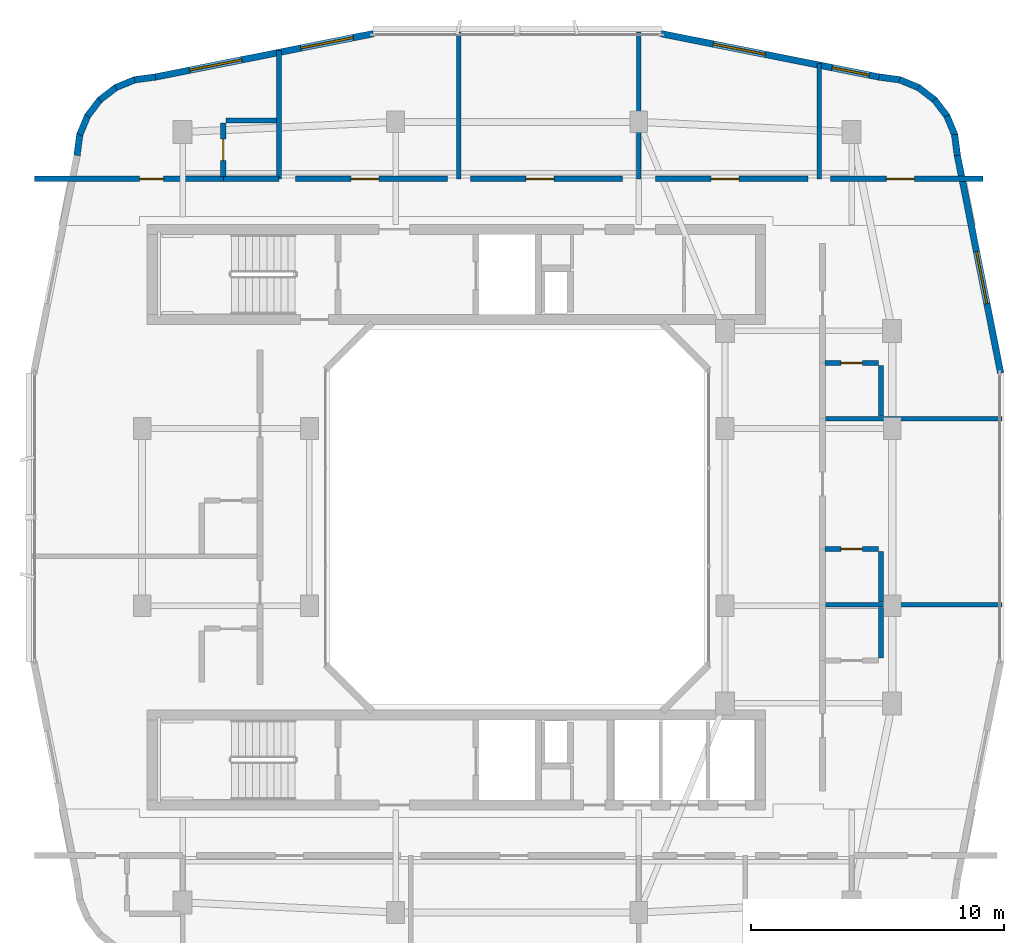
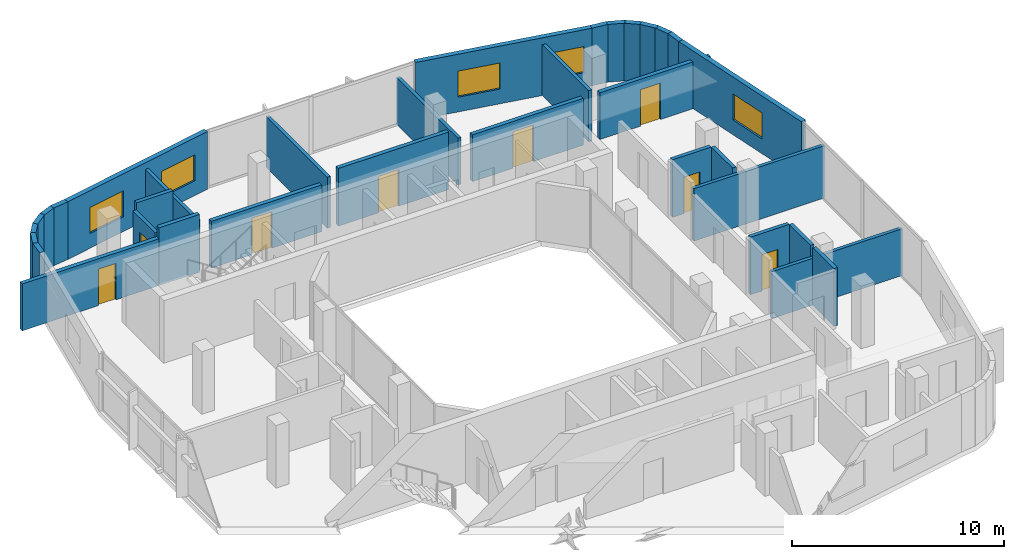
# One storey, part 9 of 14: 34 walls, 8 doors, 5 windows, 13 openings.
"""IFC4 building model written with IfcOpenShell, lengths in metres."""

from ifc_helpers import new_model, si_unit, derived_unit, direction, frame, frame_2d, origin, place, context, subcontext, project, spatial, rectangle, extrude, material, layer, layer_set, type_object, element, fill, save


model = new_model("IFC4")

# Units and contexts
model_context = context("Model", 3, precision=1e-05, world=origin(), true_north=direction((0.0, 1.0)))
body_context = subcontext(model_context, "Body", "Model", "MODEL_VIEW")
ifc_project = project(units=[si_unit("LENGTHUNIT", "METRE"), si_unit("AREAUNIT", "SQUARE_METRE"), si_unit("VOLUMEUNIT", "CUBIC_METRE"), si_unit("PLANEANGLEUNIT", "RADIAN"), si_unit("MASSUNIT", "GRAM", prefix="KILO"), derived_unit("THERMALTRANSMITTANCEUNIT", [(si_unit("POWERUNIT", "WATT"), 1), (si_unit("LENGTHUNIT", "METRE"), -2), (si_unit("THERMODYNAMICTEMPERATUREUNIT", "KELVIN"), -1)])], contexts=[model_context])

# Site, building, storey
site_placement = place(None, origin())
site = spatial("IfcSite", under=ifc_project, at=site_placement, CompositionType="ELEMENT")
building_placement = place(site_placement, origin())
building = spatial("IfcBuilding", under=site, at=building_placement, Name="Kivonza Crest Hotel", CompositionType="ELEMENT")
storey_placement = place(building_placement, frame((0.0, 0.0, 209.89990234375)))
storey = spatial("IfcBuildingStorey", under=building, at=storey_placement, Name="L57", CompositionType="ELEMENT", Elevation=209.89990234375)

# Walls
ifc_material_1 = material(Name="High-density acoustic masonry inter-tenancy wall", Category="masonry")
ifc_layer_1 = layer(ifc_material_1, 0.179931640625)
ifc_layer_set_1 = layer_set([ifc_layer_1], Name="High-density acoustic masonry inter-tenancy wall")
wall_type_1 = type_object("IfcWallType", Name="WL-ACOU-180", PredefinedType="SOLIDWALL", material=ifc_layer_set_1)
wall_1_placement = place(storey_placement, frame((11.60009765625, 38.35009765625, 0.0), z_axis=(0.0, 0.0, 1.0), x_axis=(0.0, 1.0, 0.0)))
element("IfcWall", 1, at=wall_1_placement, inside=storey, type_object=wall_type_1, Name="L57 interior partition WA-L57-T1N-DIV1", PredefinedType="SOLIDWALL", context=body_context, shape_type="SweptSolid", body=[
    extrude(rectangle(XDim=5.06396484375, YDim=0.179931640625, at=frame_2d((2.531982421875, 0.0))), origin(), (0.0, 0.0, 1.0), 2.93505859375),
])
wall_2_placement = place(storey_placement, frame((18.699951171875, 38.35009765625, 0.0), z_axis=(0.0, 0.0, 1.0), x_axis=(0.0, 1.0, 0.0)))
element("IfcWall", 2, at=wall_2_placement, inside=storey, type_object=wall_type_1, Name="L57 interior partition WA-L57-T1N-SPDIV1", PredefinedType="SOLIDWALL", context=body_context, shape_type="SweptSolid", body=[
    extrude(rectangle(XDim=5.789794921875, YDim=0.179931640625, at=frame_2d((2.89501953125, 0.0))), origin(), (0.0, 0.0, 1.0), 2.93505859375),
])
wall_3_placement = place(storey_placement, frame((25.800048828125, 38.35009765625, 0.0), z_axis=(0.0, 0.0, 1.0), x_axis=(0.0, 1.0, 0.0)))
element("IfcWall", 3, at=wall_3_placement, inside=storey, type_object=wall_type_1, Name="L57 interior partition WA-L57-T1N-DIV2", PredefinedType="SOLIDWALL", context=body_context, shape_type="SweptSolid", body=[
    extrude(rectangle(XDim=5.789794921875, YDim=0.179931640625, at=frame_2d((2.89501953125, 0.0))), origin(), (0.0, 0.0, 1.0), 2.695068359375),
])
wall_4_placement = place(storey_placement, frame((32.919921875, 38.35009765625, 0.0), z_axis=(0.0, 0.0, 1.0), x_axis=(0.0, 1.0, 0.0)))
element("IfcWall", 4, at=wall_4_placement, inside=storey, type_object=wall_type_1, Name="L57 interior partition WA-L57-T1N-SPDIV2", PredefinedType="SOLIDWALL", context=body_context, shape_type="SweptSolid", body=[
    extrude(rectangle(XDim=4.56298828125, YDim=0.179931640625, at=frame_2d((2.281494140625, 0.0))), origin(), (0.0, 0.0, 1.0), 2.93505859375),
])
wall_5_placement = place(storey_placement, frame((33.050048828125, 21.5439453125, 0.0), z_axis=(0.0, 0.0, 1.0), x_axis=(1.0, 0.0, 0.0)))
element("IfcWall", 5, at=wall_5_placement, inside=storey, type_object=wall_type_1, Name="L57 interior partition WA-L57-T1E-DIV1", PredefinedType="SOLIDWALL", context=body_context, shape_type="SweptSolid", body=[
    extrude(rectangle(XDim=7.08984375, YDim=0.179931640625, at=frame_2d((3.544921875, 0.0))), origin(), (0.0, 0.0, 1.0), 2.695068359375),
])
wall_6_placement = place(storey_placement, frame((33.050048828125, 28.887939453125, 0.0), z_axis=(0.0, 0.0, 1.0), x_axis=(1.0, 0.0, 0.0)))
element("IfcWall", 6, at=wall_6_placement, inside=storey, type_object=wall_type_1, Name="L57 interior partition WA-L57-T1E-DIV2", PredefinedType="SOLIDWALL", context=body_context, shape_type="SweptSolid", body=[
    extrude(rectangle(XDim=7.08984375, YDim=0.179931640625, at=frame_2d((3.544921875, 0.0))), origin(), (0.0, 0.0, 1.0), 3.01513671875),
])
ifc_material_2 = material(Name="Autoclaved aerated concrete blockwork", Category="masonry")
ifc_layer_2 = layer(ifc_material_2, 0.219970703125)
ifc_layer_set_2 = layer_set([ifc_layer_2], Name="Autoclaved aerated concrete blockwork")
wall_type_2 = type_object("IfcWallType", Name="WL-ACOU-220", PredefinedType="SOLIDWALL", material=ifc_layer_set_2)
wall_7_placement = place(storey_placement, frame((9.39990234375, 38.35009765625, 0.0), z_axis=(0.0, 0.0, 1.0), x_axis=(1.0, 0.0, 0.0)))
element("IfcWall", 7, at=wall_7_placement, inside=storey, type_object=wall_type_2, Name="L57 interior partition WA-L57-N01-BCORR", PredefinedType="SOLIDWALL", context=body_context, shape_type="SweptSolid", body=[
    extrude(rectangle(XDim=2.2001953125, YDim=0.219970703125, at=frame_2d((1.10009765625, 0.0))), origin(), (0.0, 0.0, 1.0), 3.320068359375),
])

# Wall, opening, door
wall_8_placement = place(storey_placement, frame((1.9599609375, 38.35009765625, 0.0), z_axis=(0.0, 0.0, 1.0), x_axis=(1.0, 0.0, 0.0)))
wall_8 = element("IfcWall", 8, at=wall_8_placement, inside=storey, type_object=wall_type_2, Name="L57 interior partition WA-L57-N01-MCORR", PredefinedType="SOLIDWALL", context=body_context, shape_type="SweptSolid", body=[
    extrude(rectangle(XDim=7.43994140625, YDim=0.219970703125, at=frame_2d((3.719970703125, 0.0))), origin(), (0.0, 0.0, 1.0), 2.695068359375),
])
opening_1_placement = place(wall_8_placement, frame((4.139892578125, 0.0, 0.0)))
opening_1 = element("IfcOpeningElement", 9, at=opening_1_placement, cuts=wall_8, Name="Opening DU-60", PredefinedType="OPENING", context=body_context, shape_type="SweptSolid", body=[
    extrude(rectangle(XDim=0.949951171875, YDim=2.10009765625, at=frame_2d((0.47509765625, 1.050048828125))), frame((0.0, 0.1201171875, 0.0), z_axis=(0.0, -1.0, 0.0), x_axis=(1.0, 0.0, 0.0)), (0.0, 0.0, 1.0), 0.239990234375),
])
ifc_material_3 = material(Name="Hardwood timber oak", Category="wood")
door_type_1 = type_object("IfcDoorType", Name="DR-UNIT-950", OperationType="NOTDEFINED", PredefinedType="DOOR", material=ifc_material_3)
door_1_placement = place(opening_1_placement, origin())
door_1 = element("IfcDoor", 10, at=door_1_placement, inside=storey, type_object=door_type_1, Name="L57 N01 guest unit entrance fire door", OperationType="SINGLE_SWING_LEFT", OverallHeight=2.10009765625, OverallWidth=0.949951171875, PredefinedType="DOOR", context=body_context, shape_type="SweptSolid", body=[
    extrude(rectangle(XDim=0.949951171875, YDim=2.10009765625, at=frame_2d((0.47509765625, 1.050048828125))), frame((0.0, 0.02490234375, 0.0), z_axis=(0.0, -1.0, 0.0), x_axis=(1.0, 0.0, 0.0)), (0.0, 0.0, 1.0), 0.050048828125),
])
fill(opening_1, door_1)

wall_9_placement = place(storey_placement, frame((12.25, 38.35009765625, 0.0), z_axis=(0.0, 0.0, 1.0), x_axis=(1.0, 0.0, 0.0)))
wall_9 = element("IfcWall", 11, at=wall_9_placement, inside=storey, type_object=wall_type_2, Name="L57 interior partition WA-L57-Z3-NKIT1A-S", PredefinedType="SOLIDWALL", context=body_context, shape_type="SweptSolid", body=[
    extrude(rectangle(XDim=6.0, YDim=0.219970703125, at=frame_2d((3.0, 0.0))), origin(), (0.0, 0.0, 1.0), 2.695068359375),
])
opening_2_placement = place(wall_9_placement, frame((2.195068359375, 0.0, 0.0)))
opening_2 = element("IfcOpeningElement", 12, at=opening_2_placement, cuts=wall_9, Name="Opening DF-60M", PredefinedType="OPENING", context=body_context, shape_type="SweptSolid", body=[
    extrude(rectangle(XDim=1.10009765625, YDim=2.10009765625, at=frame_2d((0.550048828125, 1.050048828125))), frame((0.0, 0.1201171875, 0.0), z_axis=(0.0, -1.0, 0.0), x_axis=(1.0, 0.0, 0.0)), (0.0, 0.0, 1.0), 0.239990234375),
])
door_type_2 = type_object("IfcDoorType", Name="DR-FD60-1100", OperationType="NOTDEFINED", PredefinedType="DOOR", material=ifc_material_3)
door_2_placement = place(opening_2_placement, origin())
door_2 = element("IfcDoor", 13, at=door_2_placement, inside=storey, type_object=door_type_2, Name="L57 Sky Culinary Tasting Kitchen door", OperationType="SINGLE_SWING_RIGHT", OverallHeight=2.10009765625, OverallWidth=1.10009765625, PredefinedType="DOOR", context=body_context, shape_type="SweptSolid", body=[
    extrude(rectangle(XDim=1.10009765625, YDim=2.10009765625, at=frame_2d((0.550048828125, 1.050048828125))), frame((0.0, 0.02490234375, 0.0), z_axis=(0.0, -1.0, 0.0), x_axis=(1.0, 0.0, 0.0)), (0.0, 0.0, 1.0), 0.050048828125),
])
fill(opening_2, door_2)

wall_10_placement = place(storey_placement, frame((19.14990234375, 38.35009765625, 0.0), z_axis=(0.0, 0.0, 1.0), x_axis=(1.0, 0.0, 0.0)))
wall_10 = element("IfcWall", 14, at=wall_10_placement, inside=storey, type_object=wall_type_2, Name="L57 interior partition WA-L57-Z3-NKIT1B-S", PredefinedType="SOLIDWALL", context=body_context, shape_type="SweptSolid", body=[
    extrude(rectangle(XDim=6.0, YDim=0.219970703125, at=frame_2d((3.0, 0.0))), origin(), (0.0, 0.0, 1.0), 3.320068359375),
])
opening_3_placement = place(wall_10_placement, frame((2.195068359375, 0.0, 0.0)))
opening_3 = element("IfcOpeningElement", 15, at=opening_3_placement, cuts=wall_10, Name="Opening DF-60M", PredefinedType="OPENING", context=body_context, shape_type="SweptSolid", body=[
    extrude(rectangle(XDim=1.10009765625, YDim=2.10009765625, at=frame_2d((0.550048828125, 1.050048828125))), frame((0.0, 0.1201171875, 0.0), z_axis=(0.0, -1.0, 0.0), x_axis=(1.0, 0.0, 0.0)), (0.0, 0.0, 1.0), 0.239990234375),
])
door_3_placement = place(opening_3_placement, origin())
door_3 = element("IfcDoor", 16, at=door_3_placement, inside=storey, type_object=door_type_2, Name="L57 Sky Sommelier Pastry Kitchen door", OperationType="SINGLE_SWING_LEFT", OverallHeight=2.10009765625, OverallWidth=1.10009765625, PredefinedType="DOOR", context=body_context, shape_type="SweptSolid", body=[
    extrude(rectangle(XDim=1.10009765625, YDim=2.10009765625, at=frame_2d((0.550048828125, 1.050048828125))), frame((0.0, 0.02490234375, 0.0), z_axis=(0.0, -1.0, 0.0), x_axis=(1.0, 0.0, 0.0)), (0.0, 0.0, 1.0), 0.050048828125),
])
fill(opening_3, door_3)

wall_11_placement = place(storey_placement, frame((26.449951171875, 38.35009765625, 0.0), z_axis=(0.0, 0.0, 1.0), x_axis=(1.0, 0.0, 0.0)))
wall_11 = element("IfcWall", 17, at=wall_11_placement, inside=storey, type_object=wall_type_2, Name="L57 interior partition WA-L57-Z3-NKIT2A-S", PredefinedType="SOLIDWALL", context=body_context, shape_type="SweptSolid", body=[
    extrude(rectangle(XDim=6.02001953125, YDim=0.219970703125, at=frame_2d((3.010009765625, 0.0))), origin(), (0.0, 0.0, 1.0), 2.695068359375),
])
opening_4_placement = place(wall_11_placement, frame((2.2041015625, 0.0, 0.0)))
opening_4 = element("IfcOpeningElement", 18, at=opening_4_placement, cuts=wall_11, Name="Opening DF-60M", PredefinedType="OPENING", context=body_context, shape_type="SweptSolid", body=[
    extrude(rectangle(XDim=1.10009765625, YDim=2.10009765625, at=frame_2d((0.550048828125, 1.050048828125))), frame((0.0, 0.1201171875, 0.0), z_axis=(0.0, -1.0, 0.0), x_axis=(1.0, 0.0, 0.0)), (0.0, 0.0, 1.0), 0.239990234375),
])
door_4_placement = place(opening_4_placement, origin())
door_4 = element("IfcDoor", 19, at=door_4_placement, inside=storey, type_object=door_type_2, Name="L57 Sky Culinary Tasting Kitchen door", OperationType="SINGLE_SWING_RIGHT", OverallHeight=2.10009765625, OverallWidth=1.10009765625, PredefinedType="DOOR", context=body_context, shape_type="SweptSolid", body=[
    extrude(rectangle(XDim=1.10009765625, YDim=2.10009765625, at=frame_2d((0.550048828125, 1.050048828125))), frame((0.0, 0.02490234375, 0.0), z_axis=(0.0, -1.0, 0.0), x_axis=(1.0, 0.0, 0.0)), (0.0, 0.0, 1.0), 0.050048828125),
])
fill(opening_4, door_4)

wall_12_placement = place(storey_placement, frame((33.3701171875, 38.35009765625, 0.0), z_axis=(0.0, 0.0, 1.0), x_axis=(1.0, 0.0, 0.0)))
wall_12 = element("IfcWall", 20, at=wall_12_placement, inside=storey, type_object=wall_type_2, Name="L57 interior partition WA-L57-Z3-NKIT2B-S", PredefinedType="SOLIDWALL", context=body_context, shape_type="SweptSolid", body=[
    extrude(rectangle(XDim=6.019775390625, YDim=0.219970703125, at=frame_2d((3.009765625, 0.0))), origin(), (0.0, 0.0, 1.0), 2.695068359375),
])
opening_5_placement = place(wall_12_placement, frame((2.2041015625, 0.0, 0.0)))
opening_5 = element("IfcOpeningElement", 21, at=opening_5_placement, cuts=wall_12, Name="Opening DF-60M", PredefinedType="OPENING", context=body_context, shape_type="SweptSolid", body=[
    extrude(rectangle(XDim=1.10009765625, YDim=2.10009765625, at=frame_2d((0.550048828125, 1.050048828125))), frame((0.0, 0.1201171875, 0.0), z_axis=(0.0, -1.0, 0.0), x_axis=(1.0, 0.0, 0.0)), (0.0, 0.0, 1.0), 0.239990234375),
])
door_5_placement = place(opening_5_placement, origin())
door_5 = element("IfcDoor", 22, at=door_5_placement, inside=storey, type_object=door_type_2, Name="L57 Sky Sommelier Pastry Kitchen door", OperationType="SINGLE_SWING_LEFT", OverallHeight=2.10009765625, OverallWidth=1.10009765625, PredefinedType="DOOR", context=body_context, shape_type="SweptSolid", body=[
    extrude(rectangle(XDim=1.10009765625, YDim=2.10009765625, at=frame_2d((0.550048828125, 1.050048828125))), frame((0.0, 0.02490234375, 0.0), z_axis=(0.0, -1.0, 0.0), x_axis=(1.0, 0.0, 0.0)), (0.0, 0.0, 1.0), 0.050048828125),
])
fill(opening_5, door_5)

# Wall, opening, window
ifc_material_4 = material(Name="Precast concrete C40/50", Category="concrete")
ifc_layer_3 = layer(ifc_material_4, 0.260009765625)
ifc_layer_set_3 = layer_set([ifc_layer_3], Name="Precast concrete C40/50")
wall_type_3 = type_object("IfcWallType", Name="WL-EXT-260", PredefinedType="STANDARD", material=ifc_layer_set_3)
wall_13_placement = place(storey_placement, frame((40.083984375, 30.680908203125, 0.0), z_axis=(0.0, 0.0, 1.0), x_axis=(-0.195291715883, 0.980745199176, 0.0)))
wall_13 = element("IfcWall", 23, at=wall_13_placement, inside=storey, type_object=wall_type_3, Name="L57 T1 exterior insulated wall 18", PredefinedType="STANDARD", context=body_context, shape_type="SweptSolid", body=[
    extrude(rectangle(XDim=8.77099609375, YDim=0.260009765625, at=frame_2d((4.385498046875, 0.0))), origin(), (0.0, 0.0, 1.0), 3.320068359375),
])
opening_6_placement = place(wall_13_placement, frame((2.798095703125, 0.0, 0.85009765625)))
opening_6 = element("IfcOpeningElement", 24, at=opening_6_placement, cuts=wall_13, Name="Opening WN-04", PredefinedType="OPENING", context=body_context, shape_type="SweptSolid", body=[
    extrude(rectangle(XDim=2.10009765625, YDim=1.5, at=frame_2d((1.050048828125, 0.75))), frame((0.0, 0.14013671875, 0.0), z_axis=(0.0, -1.0, 0.0), x_axis=(1.0, 0.0, 0.0)), (0.0, 0.0, 1.0), 0.280029296875),
])
ifc_material_5 = material(Name="Thermally broken bronze aluminium and low-E double glazing", Category="aluminium")
window_type_1 = type_object("IfcWindowType", Name="WN-210x150", PartitioningType="DOUBLE_PANEL_VERTICAL", PredefinedType="WINDOW", material=ifc_material_5)
window_1_placement = place(opening_6_placement, origin())
window_1 = element("IfcWindow", 25, at=window_1_placement, inside=storey, type_object=window_type_1, Name="L57 T1 facade window 18", OverallHeight=1.5, OverallWidth=2.10009765625, PartitioningType="SINGLE_PANEL", PredefinedType="WINDOW", context=body_context, shape_type="SweptSolid", body=[
    extrude(rectangle(XDim=2.10009765625, YDim=1.5, at=frame_2d((1.050048828125, 0.75))), frame((0.0, 0.030029296875, 0.0), z_axis=(0.0, -1.0, 0.0), x_axis=(1.0, 0.0, 0.0)), (0.0, 0.0, 1.0), 0.06005859375),
])
fill(opening_6, window_1)

# Walls
wall_14_placement = place(storey_placement, frame((38.3720703125, 39.27490234375, 0.0), z_axis=(0.0, 0.0, 1.0), x_axis=(-0.130954667764, 0.9913883573, 0.0)))
element("IfcWall", 26, at=wall_14_placement, inside=storey, type_object=wall_type_3, Name="L57 T1 exterior insulated wall 19", PredefinedType="STANDARD", context=body_context, shape_type="SweptSolid", body=[
    extrude(rectangle(XDim=0.833251953125, YDim=0.260009765625, at=frame_2d((0.41650390625, 0.0))), origin(), (0.0, 0.0, 1.0), 3.320068359375),
])
wall_15_placement = place(storey_placement, frame((38.281005859375, 40.054931640625, 0.0), z_axis=(0.0, 0.0, 1.0), x_axis=(-0.382985169477, 0.923754491172, 0.0)))
element("IfcWall", 27, at=wall_15_placement, inside=storey, type_object=wall_type_3, Name="L57 T1 exterior insulated wall 20", PredefinedType="STANDARD", context=body_context, shape_type="SweptSolid", body=[
    extrude(rectangle(XDim=0.85107421875, YDim=0.260009765625, at=frame_2d((0.425537109375, 0.0))), origin(), (0.0, 0.0, 1.0), 3.320068359375),
])
for number, where, z_axis, x_axis, name in (
    (28, (37.98291015625, 40.801025390625, 0.0), (0.0, 0.0, 1.0), (-0.607918988881, 0.793999057278, 0.0), "L57 T1 exterior insulated wall 21"),
    (29, (37.50390625, 41.445068359375, 0.0), (0.0, 0.0, 1.0), (-0.793892896323, 0.608057619941, 0.0), "L57 T1 exterior insulated wall 22"),
):
    element("IfcWall", number, at=place(storey_placement, frame(where, z_axis=z_axis, x_axis=x_axis)), inside=storey, type_object=wall_type_3, Name=name, PredefinedType="STANDARD", context=body_context, shape_type="SweptSolid", body=[
        extrude(rectangle(XDim=0.85009765625, YDim=0.260009765625, at=frame_2d((0.425048828125, 0.0))), origin(), (0.0, 0.0, 1.0), 3.320068359375),
    ])
wall_16_placement = place(storey_placement, frame((36.873046875, 41.94091796875, 0.0), z_axis=(0.0, 0.0, 1.0), x_axis=(-0.923652976167, 0.383229930484, 0.0)))
element("IfcWall", 30, at=wall_16_placement, inside=storey, type_object=wall_type_3, Name="L57 T1 exterior insulated wall 23", PredefinedType="STANDARD", context=body_context, shape_type="SweptSolid", body=[
    extrude(rectangle(XDim=0.85107421875, YDim=0.260009765625, at=frame_2d((0.425537109375, 0.0))), origin(), (0.0, 0.0, 1.0), 3.320068359375),
])
wall_17_placement = place(storey_placement, frame((36.135986328125, 42.259033203125, 0.0), z_axis=(0.0, 0.0, 1.0), x_axis=(-0.991493480548, 0.130156359936, 0.0)))
element("IfcWall", 31, at=wall_17_placement, inside=storey, type_object=wall_type_3, Name="L57 T1 exterior insulated wall 24", PredefinedType="STANDARD", context=body_context, shape_type="SweptSolid", body=[
    extrude(rectangle(XDim=0.868408203125, YDim=0.260009765625, at=frame_2d((0.43408203125, 0.0))), origin(), (0.0, 0.0, 1.0), 3.320068359375),
])

# Wall, openings, windows
wall_18_placement = place(storey_placement, frame((35.282958984375, 42.37109375, 0.0), z_axis=(0.0, 0.0, 1.0), x_axis=(-0.980745199176, 0.195291715883, 0.0)))
wall_18 = element("IfcWall", 32, at=wall_18_placement, inside=storey, type_object=wall_type_3, Name="L57 T1 exterior insulated wall 25", PredefinedType="STANDARD", context=body_context, shape_type="SweptSolid", body=[
    extrude(rectangle(XDim=8.77099609375, YDim=0.260009765625, at=frame_2d((4.385498046875, 0.0))), origin(), (0.0, 0.0, 1.0), 3.320068359375),
])
opening_7_placement = place(wall_18_placement, frame((0.39306640625, 0.0, 0.85009765625)))
opening_7 = element("IfcOpeningElement", 33, at=opening_7_placement, cuts=wall_18, Name="Opening WN-02", PredefinedType="OPENING", context=body_context, shape_type="SweptSolid", body=[
    extrude(rectangle(XDim=1.5, YDim=1.5, at=frame_2d((0.75, 0.75))), frame((0.0, 0.14013671875, 0.0), z_axis=(0.0, -1.0, 0.0), x_axis=(1.0, 0.0, 0.0)), (0.0, 0.0, 1.0), 0.280029296875),
])
opening_8_placement = place(wall_18_placement, frame((4.576904296875, 0.0, 0.85009765625)))
opening_8 = element("IfcOpeningElement", 34, at=opening_8_placement, cuts=wall_18, Name="Opening WN-04", PredefinedType="OPENING", context=body_context, shape_type="SweptSolid", body=[
    extrude(rectangle(XDim=2.10009765625, YDim=1.5, at=frame_2d((1.050048828125, 0.75))), frame((0.0, 0.14013671875, 0.0), z_axis=(0.0, -1.0, 0.0), x_axis=(1.0, 0.0, 0.0)), (0.0, 0.0, 1.0), 0.280029296875),
])
window_type_2 = type_object("IfcWindowType", Name="WN-150x150", PartitioningType="DOUBLE_PANEL_VERTICAL", PredefinedType="WINDOW", material=ifc_material_5)
window_2_placement = place(opening_7_placement, origin())
window_2 = element("IfcWindow", 35, at=window_2_placement, inside=storey, type_object=window_type_2, Name="L57 T1 facade window 25 bay 1", OverallHeight=1.5, OverallWidth=1.5, PartitioningType="SINGLE_PANEL", PredefinedType="WINDOW", context=body_context, shape_type="SweptSolid", body=[
    extrude(rectangle(XDim=1.5, YDim=1.5, at=frame_2d((0.75, 0.75))), frame((0.0, 0.030029296875, 0.0), z_axis=(0.0, -1.0, 0.0), x_axis=(1.0, 0.0, 0.0)), (0.0, 0.0, 1.0), 0.06005859375),
])
fill(opening_7, window_2)
window_3_placement = place(opening_8_placement, origin())
window_3 = element("IfcWindow", 36, at=window_3_placement, inside=storey, type_object=window_type_1, Name="L57 T1 facade window 25 bay 2", OverallHeight=1.5, OverallWidth=2.10009765625, PartitioningType="SINGLE_PANEL", PredefinedType="WINDOW", context=body_context, shape_type="SweptSolid", body=[
    extrude(rectangle(XDim=2.10009765625, YDim=1.5, at=frame_2d((1.050048828125, 0.75))), frame((0.0, 0.030029296875, 0.0), z_axis=(0.0, -1.0, 0.0), x_axis=(1.0, 0.0, 0.0)), (0.0, 0.0, 1.0), 0.06005859375),
])
fill(opening_8, window_3)

wall_19_placement = place(storey_placement, frame((15.319091796875, 44.083984375, 0.0), z_axis=(0.0, 0.0, 1.0), x_axis=(-0.980745199176, -0.195291715883, 0.0)))
wall_19 = element("IfcWall", 37, at=wall_19_placement, inside=storey, type_object=wall_type_3, Name="L57 T1 exterior insulated wall 27", PredefinedType="STANDARD", context=body_context, shape_type="SweptSolid", body=[
    extrude(rectangle(XDim=8.77099609375, YDim=0.260009765625, at=frame_2d((4.385498046875, 0.0))), origin(), (0.0, 0.0, 1.0), 3.320068359375),
])
opening_9_placement = place(wall_19_placement, frame((0.80908203125, 0.0, 0.85009765625)))
opening_9 = element("IfcOpeningElement", 38, at=opening_9_placement, cuts=wall_19, Name="Opening WN-04", PredefinedType="OPENING", context=body_context, shape_type="SweptSolid", body=[
    extrude(rectangle(XDim=2.10009765625, YDim=1.5, at=frame_2d((1.050048828125, 0.75))), frame((0.0, 0.14013671875, 0.0), z_axis=(0.0, -1.0, 0.0), x_axis=(1.0, 0.0, 0.0)), (0.0, 0.0, 1.0), 0.280029296875),
])
opening_10_placement = place(wall_19_placement, frame((5.29296875, 0.0, 0.85009765625)))
opening_10 = element("IfcOpeningElement", 39, at=opening_10_placement, cuts=wall_19, Name="Opening WN-04", PredefinedType="OPENING", context=body_context, shape_type="SweptSolid", body=[
    extrude(rectangle(XDim=2.10009765625, YDim=1.5, at=frame_2d((1.050048828125, 0.75))), frame((0.0, 0.14013671875, 0.0), z_axis=(0.0, -1.0, 0.0), x_axis=(1.0, 0.0, 0.0)), (0.0, 0.0, 1.0), 0.280029296875),
])
window_4_placement = place(opening_9_placement, origin())
window_4 = element("IfcWindow", 40, at=window_4_placement, inside=storey, type_object=window_type_1, Name="L57 T1 facade window 27 bay 1", OverallHeight=1.5, OverallWidth=2.10009765625, PartitioningType="SINGLE_PANEL", PredefinedType="WINDOW", context=body_context, shape_type="SweptSolid", body=[
    extrude(rectangle(XDim=2.10009765625, YDim=1.5, at=frame_2d((1.050048828125, 0.75))), frame((0.0, 0.030029296875, 0.0), z_axis=(0.0, -1.0, 0.0), x_axis=(1.0, 0.0, 0.0)), (0.0, 0.0, 1.0), 0.06005859375),
])
fill(opening_9, window_4)
window_5_placement = place(opening_10_placement, origin())
window_5 = element("IfcWindow", 41, at=window_5_placement, inside=storey, type_object=window_type_1, Name="L57 T1 facade window 27 bay 2", OverallHeight=1.5, OverallWidth=2.10009765625, PartitioningType="SINGLE_PANEL", PredefinedType="WINDOW", context=body_context, shape_type="SweptSolid", body=[
    extrude(rectangle(XDim=2.10009765625, YDim=1.5, at=frame_2d((1.050048828125, 0.75))), frame((0.0, 0.030029296875, 0.0), z_axis=(0.0, -1.0, 0.0), x_axis=(1.0, 0.0, 0.0)), (0.0, 0.0, 1.0), 0.06005859375),
])
fill(opening_10, window_5)

# Walls
wall_20_placement = place(storey_placement, frame((6.72509765625, 42.3720703125, 0.0), z_axis=(0.0, 0.0, 1.0), x_axis=(-0.9913883573, -0.130954667764, 0.0)))
element("IfcWall", 42, at=wall_20_placement, inside=storey, type_object=wall_type_3, Name="L57 T1 exterior insulated wall 28", PredefinedType="STANDARD", context=body_context, shape_type="SweptSolid", body=[
    extrude(rectangle(XDim=0.833251953125, YDim=0.260009765625, at=frame_2d((0.41650390625, 0.0))), origin(), (0.0, 0.0, 1.0), 3.320068359375),
])
wall_21_placement = place(storey_placement, frame((5.945068359375, 42.281005859375, 0.0), z_axis=(0.0, 0.0, 1.0), x_axis=(-0.923754491172, -0.382985169477, 0.0)))
element("IfcWall", 43, at=wall_21_placement, inside=storey, type_object=wall_type_3, Name="L57 T1 exterior insulated wall 29", PredefinedType="STANDARD", context=body_context, shape_type="SweptSolid", body=[
    extrude(rectangle(XDim=0.85107421875, YDim=0.260009765625, at=frame_2d((0.425537109375, 0.0))), origin(), (0.0, 0.0, 1.0), 3.320068359375),
])
for number, where, z_axis, x_axis, name in (
    (44, (5.198974609375, 41.98291015625, 0.0), (0.0, 0.0, 1.0), (-0.793999057278, -0.607918988881, 0.0), "L57 T1 exterior insulated wall 30"),
    (45, (4.554931640625, 41.50390625, 0.0), (0.0, 0.0, 1.0), (-0.608057619941, -0.793892896323, 0.0), "L57 T1 exterior insulated wall 31"),
):
    element("IfcWall", number, at=place(storey_placement, frame(where, z_axis=z_axis, x_axis=x_axis)), inside=storey, type_object=wall_type_3, Name=name, PredefinedType="STANDARD", context=body_context, shape_type="SweptSolid", body=[
        extrude(rectangle(XDim=0.85009765625, YDim=0.260009765625, at=frame_2d((0.425048828125, 0.0))), origin(), (0.0, 0.0, 1.0), 3.320068359375),
    ])
wall_22_placement = place(storey_placement, frame((4.05908203125, 40.873046875, 0.0), z_axis=(0.0, 0.0, 1.0), x_axis=(-0.383229930484, -0.923652976167, 0.0)))
element("IfcWall", 46, at=wall_22_placement, inside=storey, type_object=wall_type_3, Name="L57 T1 exterior insulated wall 32", PredefinedType="STANDARD", context=body_context, shape_type="SweptSolid", body=[
    extrude(rectangle(XDim=0.85107421875, YDim=0.260009765625, at=frame_2d((0.425537109375, 0.0))), origin(), (0.0, 0.0, 1.0), 3.320068359375),
])
wall_23_placement = place(storey_placement, frame((3.740966796875, 40.135986328125, 0.0), z_axis=(0.0, 0.0, 1.0), x_axis=(-0.130156359936, -0.991493480548, 0.0)))
element("IfcWall", 47, at=wall_23_placement, inside=storey, type_object=wall_type_3, Name="L57 T1 exterior insulated wall 33", PredefinedType="STANDARD", context=body_context, shape_type="SweptSolid", body=[
    extrude(rectangle(XDim=0.868408203125, YDim=0.260009765625, at=frame_2d((0.43408203125, 0.0))), origin(), (0.0, 0.0, 1.0), 3.320068359375),
])

# Wall, opening, door
ifc_material_6 = material(Name="Moisture-resistant plumbing chase partition wall", Category="gypsum")
ifc_layer_4 = layer(ifc_material_6, 0.199951171875)
ifc_layer_set_4 = layer_set([ifc_layer_4], Name="Moisture-resistant plumbing chase partition wall")
wall_type_4 = type_object("IfcWallType", Name="WL-PLUMB-200", PredefinedType="PLUMBINGWALL", material=ifc_layer_set_4)
wall_24_placement = place(storey_placement, frame((9.39990234375, 38.449951171875, 0.0), z_axis=(0.0, 0.0, 1.0), x_axis=(0.0, 1.0, 0.0)))
wall_24 = element("IfcWall", 48, at=wall_24_placement, inside=storey, type_object=wall_type_4, Name="L57 interior partition WW-L57-N01-BV", PredefinedType="PLUMBINGWALL", context=body_context, shape_type="SweptSolid", body=[
    extrude(rectangle(XDim=2.10009765625, YDim=0.199951171875, at=frame_2d((1.050048828125, 0.0))), origin(), (0.0, 0.0, 1.0), 2.93505859375),
])
opening_11_placement = place(wall_24_placement, frame((0.625, 0.0, 0.0)))
opening_11 = element("IfcOpeningElement", 49, at=opening_11_placement, cuts=wall_24, Name="Opening DI-85", PredefinedType="OPENING", context=body_context, shape_type="SweptSolid", body=[
    extrude(rectangle(XDim=0.85009765625, YDim=2.10009765625, at=frame_2d((0.425048828125, 1.050048828125))), frame((0.0, 0.10986328125, 0.0), z_axis=(0.0, -1.0, 0.0), x_axis=(1.0, 0.0, 0.0)), (0.0, 0.0, 1.0), 0.219970703125),
])
door_type_3 = type_object("IfcDoorType", Name="DR-INT-850", OperationType="NOTDEFINED", PredefinedType="DOOR", material=ifc_material_3)
door_6_placement = place(opening_11_placement, origin())
door_6 = element("IfcDoor", 50, at=door_6_placement, inside=storey, type_object=door_type_3, Name="L57 N01 en-suite bathroom door", OperationType="SINGLE_SWING_RIGHT", OverallHeight=2.10009765625, OverallWidth=0.85009765625, PredefinedType="DOOR", context=body_context, shape_type="SweptSolid", body=[
    extrude(rectangle(XDim=0.85009765625, YDim=2.10009765625, at=frame_2d((0.425048828125, 1.050048828125))), frame((0.0, 0.02490234375, 0.0), z_axis=(0.0, -1.0, 0.0), x_axis=(1.0, 0.0, 0.0)), (0.0, 0.0, 1.0), 0.050048828125),
])
fill(opening_11, door_6)

# Walls
for number, where, z_axis, x_axis, name in (
    (51, (9.5, 40.64990234375, 0.0), (0.0, 0.0, 1.0), (1.0, 0.0, 0.0), "L57 interior partition WW-L57-N01-BH"),
    (52, (35.35009765625, 19.444091796875, 0.0), (0.0, 0.0, 1.0), (0.0, 1.0, 0.0), "L57 interior partition WW-L57-E05-BV"),
):
    element("IfcWall", number, at=place(storey_placement, frame(where, z_axis=z_axis, x_axis=x_axis)), inside=storey, type_object=wall_type_4, Name=name, PredefinedType="PLUMBINGWALL", context=body_context, shape_type="SweptSolid", body=[
        extrude(rectangle(XDim=2.0, YDim=0.199951171875, at=frame_2d((1.0, 0.0))), origin(), (0.0, 0.0, 1.0), 3.320068359375),
    ])

# Wall, opening, door
wall_25_placement = place(storey_placement, frame((33.14990234375, 23.743896484375, 0.0), z_axis=(0.0, 0.0, 1.0), x_axis=(1.0, 0.0, 0.0)))
wall_25 = element("IfcWall", 53, at=wall_25_placement, inside=storey, type_object=wall_type_4, Name="L57 interior partition WW-L57-E06-BH", PredefinedType="PLUMBINGWALL", context=body_context, shape_type="SweptSolid", body=[
    extrude(rectangle(XDim=2.10009765625, YDim=0.199951171875, at=frame_2d((1.050048828125, 0.0))), origin(), (0.0, 0.0, 1.0), 3.320068359375),
])
opening_12_placement = place(wall_25_placement, frame((0.625, 0.0, 0.0)))
opening_12 = element("IfcOpeningElement", 54, at=opening_12_placement, cuts=wall_25, Name="Opening DI-85", PredefinedType="OPENING", context=body_context, shape_type="SweptSolid", body=[
    extrude(rectangle(XDim=0.85009765625, YDim=2.10009765625, at=frame_2d((0.425048828125, 1.050048828125))), frame((0.0, 0.10986328125, 0.0), z_axis=(0.0, -1.0, 0.0), x_axis=(1.0, 0.0, 0.0)), (0.0, 0.0, 1.0), 0.219970703125),
])
door_7_placement = place(opening_12_placement, origin())
door_7 = element("IfcDoor", 55, at=door_7_placement, inside=storey, type_object=door_type_3, Name="L57 E06 en-suite bathroom door", OperationType="SINGLE_SWING_LEFT", OverallHeight=2.10009765625, OverallWidth=0.85009765625, PredefinedType="DOOR", context=body_context, shape_type="SweptSolid", body=[
    extrude(rectangle(XDim=0.85009765625, YDim=2.10009765625, at=frame_2d((0.425048828125, 1.050048828125))), frame((0.0, 0.02490234375, 0.0), z_axis=(0.0, -1.0, 0.0), x_axis=(1.0, 0.0, 0.0)), (0.0, 0.0, 1.0), 0.050048828125),
])
fill(opening_12, door_7)

# Wall
wall_26_placement = place(storey_placement, frame((35.35009765625, 21.64404296875, 0.0), z_axis=(0.0, 0.0, 1.0), x_axis=(0.0, 1.0, 0.0)))
element("IfcWall", 56, at=wall_26_placement, inside=storey, type_object=wall_type_4, Name="L57 interior partition WW-L57-E06-BV", PredefinedType="PLUMBINGWALL", context=body_context, shape_type="SweptSolid", body=[
    extrude(rectangle(XDim=2.0, YDim=0.199951171875, at=frame_2d((1.0, 0.0))), origin(), (0.0, 0.0, 1.0), 3.320068359375),
])

# Wall, opening, door
wall_27_placement = place(storey_placement, frame((33.14990234375, 31.087890625, 0.0), z_axis=(0.0, 0.0, 1.0), x_axis=(1.0, 0.0, 0.0)))
wall_27 = element("IfcWall", 57, at=wall_27_placement, inside=storey, type_object=wall_type_4, Name="L57 interior partition WW-L57-E07-BH", PredefinedType="PLUMBINGWALL", context=body_context, shape_type="SweptSolid", body=[
    extrude(rectangle(XDim=2.10009765625, YDim=0.199951171875, at=frame_2d((1.050048828125, 0.0))), origin(), (0.0, 0.0, 1.0), 3.320068359375),
])
opening_13_placement = place(wall_27_placement, frame((0.625, 0.0, 0.0)))
opening_13 = element("IfcOpeningElement", 58, at=opening_13_placement, cuts=wall_27, Name="Opening DI-85", PredefinedType="OPENING", context=body_context, shape_type="SweptSolid", body=[
    extrude(rectangle(XDim=0.85009765625, YDim=2.10009765625, at=frame_2d((0.425048828125, 1.050048828125))), frame((0.0, 0.10986328125, 0.0), z_axis=(0.0, -1.0, 0.0), x_axis=(1.0, 0.0, 0.0)), (0.0, 0.0, 1.0), 0.219970703125),
])
door_8_placement = place(opening_13_placement, origin())
door_8 = element("IfcDoor", 59, at=door_8_placement, inside=storey, type_object=door_type_3, Name="L57 E07 en-suite bathroom door", OperationType="SINGLE_SWING_RIGHT", OverallHeight=2.10009765625, OverallWidth=0.85009765625, PredefinedType="DOOR", context=body_context, shape_type="SweptSolid", body=[
    extrude(rectangle(XDim=0.85009765625, YDim=2.10009765625, at=frame_2d((0.425048828125, 1.050048828125))), frame((0.0, 0.02490234375, 0.0), z_axis=(0.0, -1.0, 0.0), x_axis=(1.0, 0.0, 0.0)), (0.0, 0.0, 1.0), 0.050048828125),
])
fill(opening_13, door_8)

# Wall
wall_28_placement = place(storey_placement, frame((35.35009765625, 28.988037109375, 0.0), z_axis=(0.0, 0.0, 1.0), x_axis=(0.0, 1.0, 0.0)))
element("IfcWall", 60, at=wall_28_placement, inside=storey, type_object=wall_type_4, Name="L57 interior partition WW-L57-E07-BV", PredefinedType="PLUMBINGWALL", context=body_context, shape_type="SweptSolid", body=[
    extrude(rectangle(XDim=2.0, YDim=0.199951171875, at=frame_2d((1.0, 0.0))), origin(), (0.0, 0.0, 1.0), 3.320068359375),
])

save(model, "model.ifc")
